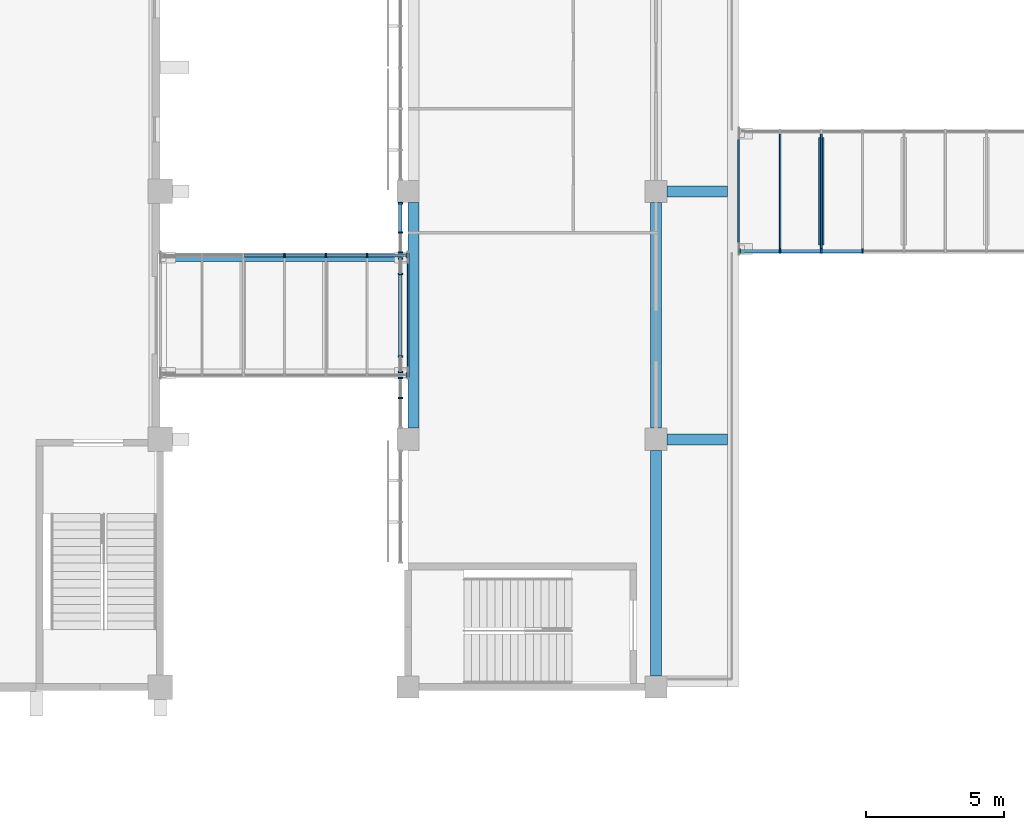
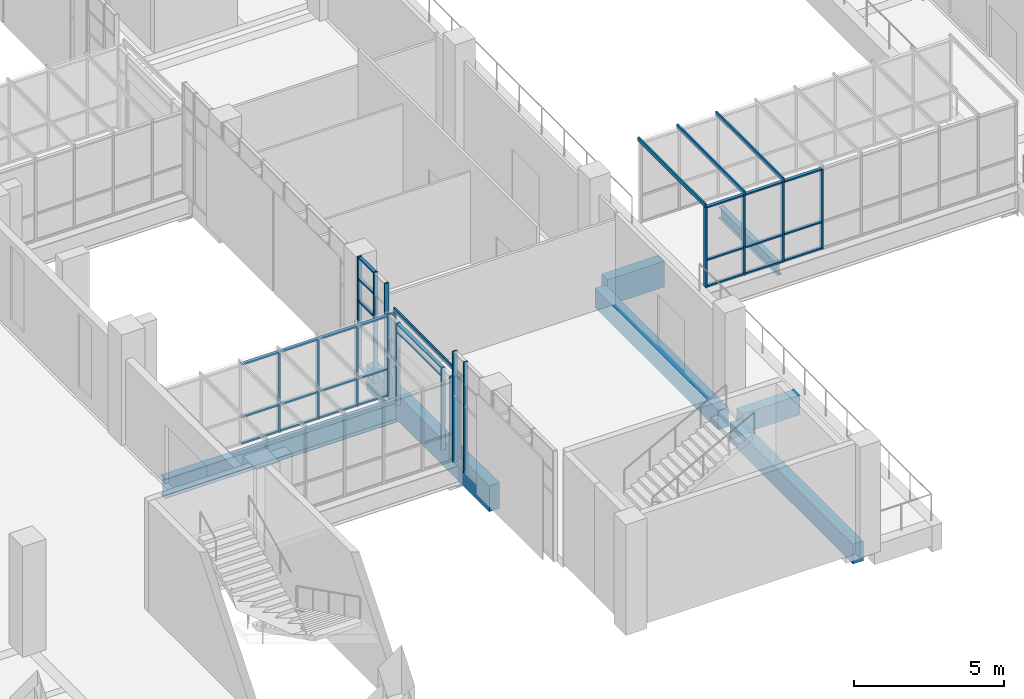
# One storey, part 8 of 88: 49 members, 7 beams, 8 elements without a shape of their own.
"""IFC4 building model written with IfcOpenShell, lengths in metres."""

from ifc_helpers import new_model, si_unit, direction, frame, origin, origin_2d, place, context, subcontext, project, spatial, rectangle, i_section, extrude, material, layer, layer_set, material_profile, profile_set, type_object, element, aggregate, save


model = new_model("IFC4")

# Units and contexts
model_context = context("Model", 3, precision=1e-05, world=origin(), true_north=direction((0.0, 1.0)))
body_context = subcontext(model_context, "Body", "Model", "MODEL_VIEW")
ifc_project = project(units=[si_unit("LENGTHUNIT", "METRE"), si_unit("AREAUNIT", "SQUARE_METRE"), si_unit("VOLUMEUNIT", "CUBIC_METRE"), si_unit("PLANEANGLEUNIT", "RADIAN"), si_unit("MASSUNIT", "GRAM", prefix="KILO")], contexts=[model_context])

# Site, building, storey
site_placement = place(None, origin())
site = spatial("IfcSite", under=ifc_project, at=site_placement, CompositionType="ELEMENT")
building_placement = place(site_placement, origin())
building = spatial("IfcBuilding", under=site, at=building_placement, Name="Guidao Yard Department Store", CompositionType="ELEMENT")
storey_placement = place(building_placement, frame((0.0, 0.0, 6.0)))
storey = spatial("IfcBuildingStorey", under=building, at=storey_placement, Name="L01", CompositionType="ELEMENT", Elevation=6.0)

# Beams
ifc_material_1 = material(Name="Concrete C40", Category="concrete")
ifc_material_profile_1 = material_profile(ifc_material_1, rectangle(XDim=0.39990234375, YDim=1.050048828125, at=origin_2d()), Name="Bridge landing beam 400 x 1050 C40")
ifc_profile_set_1 = profile_set([ifc_material_profile_1], Name="Concrete C40")
beam_type_1 = type_object("IfcBeamType", Name="Bridge landing beam 400 x 1050 C40", PredefinedType="BEAM", material=ifc_profile_set_1)
beam_1_placement = place(storey_placement, frame((72.199951171875, 54.39990234375, -0.52490234375), z_axis=(0.0, 1.0, 0.0), x_axis=(-1.0, 0.0, 0.0)))
element("IfcBeam", 1, at=beam_1_placement, inside=storey, type_object=beam_type_1, Name="Beam LB03", PredefinedType="BEAM", context=body_context, shape_type="SweptSolid", body=[
    extrude(rectangle(XDim=0.39990234375, YDim=1.050048828125, at=origin_2d()), origin(), (0.0, 0.0, 1.0), 8.2001953125),
])
beam_2_placement = place(storey_placement, frame((81.39990234375, 63.0, -0.52490234375), z_axis=(1.0, 0.0, 0.0), x_axis=(0.0, 1.0, 0.0)))
element("IfcBeam", 2, at=beam_2_placement, inside=storey, type_object=beam_type_1, Name="Beam LB05", PredefinedType="BEAM", context=body_context, shape_type="SweptSolid", body=[
    extrude(rectangle(XDim=0.39990234375, YDim=1.050048828125, at=origin_2d()), origin(), (0.0, 0.0, 1.0), 2.2001953125),
])
ifc_material_2 = material(Name="Concrete C40", Category="concrete")
ifc_material_profile_2 = material_profile(ifc_material_2, rectangle(XDim=0.39990234375, YDim=0.800048828125, at=origin_2d()), Name="Edge beam 400 x 800 C40")
ifc_profile_set_2 = profile_set([ifc_material_profile_2], Name="Concrete C40")
beam_type_2 = type_object("IfcBeamType", Name="Edge beam 400 x 800 C40", PredefinedType="BEAM", material=ifc_profile_set_2)
for number, where, z_axis, x_axis, name in (
    (3, (81.0, 45.39990234375, -0.39990234375), (0.0, 1.0, 0.0), (-1.0, 0.0, 0.0), "Beam EB32"),
    (4, (81.0, 54.39990234375, -0.39990234375), (0.0, 1.0, 0.0), (-1.0, 0.0, 0.0), "Beam EB33"),
):
    element("IfcBeam", number, at=place(storey_placement, frame(where, z_axis=z_axis, x_axis=x_axis)), inside=storey, type_object=beam_type_2, Name=name, PredefinedType="BEAM", context=body_context, shape_type="SweptSolid", body=[
        extrude(rectangle(XDim=0.39990234375, YDim=0.800048828125, at=origin_2d()), origin(), (0.0, 0.0, 1.0), 8.2001953125),
    ])
beam_3_placement = place(storey_placement, frame((81.39990234375, 54.0, -0.39990234375), z_axis=(1.0, 0.0, 0.0), x_axis=(0.0, 1.0, 0.0)))
element("IfcBeam", 5, at=beam_3_placement, inside=storey, type_object=beam_type_2, Name="Beam EB40", PredefinedType="BEAM", context=body_context, shape_type="SweptSolid", body=[
    extrude(rectangle(XDim=0.39990234375, YDim=0.800048828125, at=origin_2d()), origin(), (0.0, 0.0, 1.0), 2.2001953125),
])
ifc_material_3 = material(Name="Steel Q355B", Category="steel")
ifc_material_profile_3 = material_profile(ifc_material_3, i_section(OverallWidth=0.199951171875, OverallDepth=0.449951171875, WebThickness=0.009033203125, FlangeThickness=0.013916015625, FilletRadius=0.012939453125, at=origin_2d()), Name="HN 450x200x9x14")
ifc_profile_set_3 = profile_set([ifc_material_profile_3], Name="Steel Q355B")
beam_type_3 = type_object("IfcBeamType", Name="HN 450x200x9x14", PredefinedType="BEAM", material=ifc_profile_set_3)
beam_4_placement = place(storey_placement, frame((87.007568359375, 61.050048828125, -0.47509765625), z_axis=(0.0, 1.0, 0.0), x_axis=(-1.0, 0.0, 0.0)))
element("IfcBeam", 6, at=beam_4_placement, inside=storey, type_object=beam_type_3, Name="Bridge cross beam BR09-1", PredefinedType="BEAM", context=body_context, shape_type="SweptSolid", body=[
    extrude(i_section(OverallWidth=0.199951171875, OverallDepth=0.449951171875, WebThickness=0.009033203125, FlangeThickness=0.013916015625, FilletRadius=0.012939453125, at=origin_2d()), origin(), (0.0, 0.0, 1.0), 3.89990234375),
])
ifc_material_4 = material(Name="Steel Q355B", Category="steel")
ifc_material_profile_4 = material_profile(ifc_material_4, i_section(OverallWidth=0.300048828125, OverallDepth=0.800048828125, WebThickness=0.013916015625, FlangeThickness=0.02587890625, FilletRadius=0.01806640625, at=origin_2d()), Name="HN 800x300x14x26")
ifc_profile_set_4 = profile_set([ifc_material_profile_4], Name="Steel Q355B")
beam_type_4 = type_object("IfcBeamType", Name="HN 800x300x14x26", PredefinedType="BEAM", material=ifc_profile_set_4)
beam_5_placement = place(storey_placement, frame((63.014892578125, 60.60009765625, -0.64990234375), z_axis=(1.0, 0.0, 0.0), x_axis=(0.0, 1.0, 0.0)))
element("IfcBeam", 7, at=beam_5_placement, inside=storey, type_object=beam_type_4, Name="Bridge girder BR01N", PredefinedType="BEAM", context=body_context, shape_type="SweptSolid", body=[
    extrude(i_section(OverallWidth=0.300048828125, OverallDepth=0.800048828125, WebThickness=0.013916015625, FlangeThickness=0.02587890625, FilletRadius=0.01806640625, at=origin_2d()), origin(), (0.0, 0.0, 1.0), 8.97021484375),
])

# Curtain wall, members
ifc_material_5 = material(Name="Aluminium and glass", Category="aluminium")
ifc_layer_1 = layer(ifc_material_5, 0.159912109375)
ifc_layer_set_1 = layer_set([ifc_layer_1], Name="Shopfront curtain wall CW1 1500 module")
curtain_wall_type_1 = type_object("IfcCurtainWallType", Name="Shopfront curtain wall CW1 1500 module", PredefinedType="NOTDEFINED", material=ifc_layer_set_1)
curtain_wall_1_placement = place(storey_placement, origin())
curtain_wall_1 = element("IfcCurtainWall", 8, at=curtain_wall_1_placement, inside=storey, type_object=curtain_wall_type_1, Name="Arcade shop front", PredefinedType="NOTDEFINED")
ifc_material_6 = material(Name="Aluminium 6063-T5", Category="aluminium")
ifc_material_profile_5 = material_profile(ifc_material_6, rectangle(XDim=0.06005859375, YDim=0.159912109375, at=origin_2d()), Name="Mullion M1 60 x 160 aluminium pressure plate")
ifc_profile_set_5 = profile_set([ifc_material_profile_5], Name="Aluminium 6063-T5")
member_type_1 = type_object("IfcMemberType", Name="Mullion M1 60 x 160 aluminium pressure plate", PredefinedType="MULLION", material=ifc_profile_set_5)
member_1_placement = place(storey_placement, frame((71.719970703125, 55.5, 0.0), z_axis=(0.0, 0.0, 1.0), x_axis=(0.0, 1.0, 0.0)))
member_1 = element("IfcMember", 9, at=member_1_placement, type_object=member_type_1, Name="CW-AS-L01-02 mullion 2", PredefinedType="MULLION", context=body_context, shape_type="SweptSolid", body=[
    extrude(rectangle(XDim=0.06005859375, YDim=0.159912109375, at=origin_2d()), origin(), (0.0, 0.0, 1.0), 4.5),
])
member_2_placement = place(storey_placement, frame((71.719970703125, 56.219970703125, 0.0), z_axis=(0.0, 0.0, 1.0), x_axis=(0.0, 1.0, 0.0)))
member_2 = element("IfcMember", 10, at=member_2_placement, type_object=member_type_1, Name="CW-AS-L01-02 mullion 3", PredefinedType="MULLION", context=body_context, shape_type="SweptSolid", body=[
    extrude(rectangle(XDim=0.06005859375, YDim=0.159912109375, at=origin_2d()), origin(), (0.0, 0.0, 1.0), 4.5),
])
aggregate(curtain_wall_1, [member_1, member_2])

curtain_wall_2_placement = place(storey_placement, origin())
curtain_wall_2 = element("IfcCurtainWall", 11, at=curtain_wall_2_placement, inside=storey, type_object=curtain_wall_type_1, Name="Arcade shop front", PredefinedType="NOTDEFINED")
member_3_placement = place(storey_placement, frame((71.719970703125, 56.43994140625, 0.0), z_axis=(0.0, 0.0, 1.0), x_axis=(0.0, 1.0, 0.0)))
member_3 = element("IfcMember", 12, at=member_3_placement, type_object=member_type_1, Name="CW-AS-L01-03 mullion 1", PredefinedType="MULLION", context=body_context, shape_type="SweptSolid", body=[
    extrude(rectangle(XDim=0.06005859375, YDim=0.159912109375, at=origin_2d()), origin(), (0.0, 0.0, 1.0), 3.35009765625),
])
member_4_placement = place(storey_placement, frame((71.719970703125, 57.0, 0.0), z_axis=(0.0, 0.0, 1.0), x_axis=(0.0, 1.0, 0.0)))
member_4 = element("IfcMember", 13, at=member_4_placement, type_object=member_type_1, Name="CW-AS-L01-03 mullion 2", PredefinedType="MULLION", context=body_context, shape_type="SweptSolid", body=[
    extrude(rectangle(XDim=0.06005859375, YDim=0.159912109375, at=origin_2d()), origin(), (0.0, 0.0, 1.0), 3.35009765625),
])
member_5_placement = place(storey_placement, frame((71.719970703125, 60.0, 0.0), z_axis=(0.0, 0.0, 1.0), x_axis=(0.0, 1.0, 0.0)))
member_5 = element("IfcMember", 14, at=member_5_placement, type_object=member_type_1, Name="CW-AS-L01-03 mullion 3", PredefinedType="MULLION", context=body_context, shape_type="SweptSolid", body=[
    extrude(rectangle(XDim=0.06005859375, YDim=0.159912109375, at=origin_2d()), origin(), (0.0, 0.0, 1.0), 3.35009765625),
])
member_6_placement = place(storey_placement, frame((71.719970703125, 60.56005859375, 0.0), z_axis=(0.0, 0.0, 1.0), x_axis=(0.0, 1.0, 0.0)))
member_6 = element("IfcMember", 15, at=member_6_placement, type_object=member_type_1, Name="CW-AS-L01-03 mullion 4", PredefinedType="MULLION", context=body_context, shape_type="SweptSolid", body=[
    extrude(rectangle(XDim=0.06005859375, YDim=0.159912109375, at=origin_2d()), origin(), (0.0, 0.0, 1.0), 3.35009765625),
])

curtain_wall_3_placement = place(storey_placement, origin())
curtain_wall_3 = element("IfcCurtainWall", 16, at=curtain_wall_3_placement, inside=storey, type_object=curtain_wall_type_1, Name="Arcade shop front", PredefinedType="NOTDEFINED")
member_7_placement = place(storey_placement, frame((71.719970703125, 60.780029296875, 0.0), z_axis=(0.0, 0.0, 1.0), x_axis=(0.0, 1.0, 0.0)))
member_7 = element("IfcMember", 17, at=member_7_placement, type_object=member_type_1, Name="CW-AS-L01-04 mullion 1", PredefinedType="MULLION", context=body_context, shape_type="SweptSolid", body=[
    extrude(rectangle(XDim=0.06005859375, YDim=0.159912109375, at=origin_2d()), origin(), (0.0, 0.0, 1.0), 4.5),
])
member_8_placement = place(storey_placement, frame((71.719970703125, 61.5, 0.0), z_axis=(0.0, 0.0, 1.0), x_axis=(0.0, 1.0, 0.0)))
member_8 = element("IfcMember", 18, at=member_8_placement, type_object=member_type_1, Name="CW-AS-L01-04 mullion 2", PredefinedType="MULLION", context=body_context, shape_type="SweptSolid", body=[
    extrude(rectangle(XDim=0.06005859375, YDim=0.159912109375, at=origin_2d()), origin(), (0.0, 0.0, 1.0), 4.5),
])
member_9_placement = place(storey_placement, frame((71.719970703125, 62.570068359375, 0.0), z_axis=(0.0, 0.0, 1.0), x_axis=(0.0, 1.0, 0.0)))
member_9 = element("IfcMember", 19, at=member_9_placement, type_object=member_type_1, Name="CW-AS-L01-04 mullion 3", PredefinedType="MULLION", context=body_context, shape_type="SweptSolid", body=[
    extrude(rectangle(XDim=0.06005859375, YDim=0.159912109375, at=origin_2d()), origin(), (0.0, 0.0, 1.0), 4.5),
])

# Curtain wall, member
ifc_material_7 = material(Name="Aluminium and glass", Category="aluminium")
ifc_layer_2 = layer(ifc_material_7, 0.159912109375)
ifc_layer_set_2 = layer_set([ifc_layer_2], Name="Bridge glazing CW5 1500 module")
curtain_wall_type_2 = type_object("IfcCurtainWallType", Name="Bridge glazing CW5 1500 module", PredefinedType="NOTDEFINED", material=ifc_layer_set_2)
curtain_wall_4_placement = place(storey_placement, origin())
curtain_wall_4 = element("IfcCurtainWall", 20, at=curtain_wall_4_placement, inside=storey, type_object=curtain_wall_type_2, Name="Bridge glazing BR01 S", PredefinedType="NOTDEFINED")
member_10_placement = place(storey_placement, frame((71.969970703125, 56.330078125, 0.0), z_axis=(0.0, 0.0, 1.0), x_axis=(-1.0, 0.0, 0.0)))
member_10 = element("IfcMember", 21, at=member_10_placement, type_object=member_type_1, Name="CW-S-L01-01 mullion 7", PredefinedType="MULLION", context=body_context, shape_type="SweptSolid", body=[
    extrude(rectangle(XDim=0.06005859375, YDim=0.159912109375, at=origin_2d()), origin(), (0.0, 0.0, 1.0), 3.27001953125),
])
aggregate(curtain_wall_4, [member_10])

# Curtain wall, members
curtain_wall_5_placement = place(storey_placement, origin())
curtain_wall_5 = element("IfcCurtainWall", 22, at=curtain_wall_5_placement, inside=storey, type_object=curtain_wall_type_2, Name="Bridge glazing BR01 N", PredefinedType="NOTDEFINED")
member_11_placement = place(storey_placement, frame((67.514892578125, 60.669921875, 0.0), z_axis=(0.0, 0.0, 1.0), x_axis=(1.0, 0.0, 0.0)))
member_11 = element("IfcMember", 23, at=member_11_placement, type_object=member_type_1, Name="CW-N-L01-02 mullion 4", PredefinedType="MULLION", context=body_context, shape_type="SweptSolid", body=[
    extrude(rectangle(XDim=0.06005859375, YDim=0.159912109375, at=origin_2d()), origin(), (0.0, 0.0, 1.0), 3.27001953125),
])
member_12_placement = place(storey_placement, frame((69.014892578125, 60.669921875, 0.0), z_axis=(0.0, 0.0, 1.0), x_axis=(1.0, 0.0, 0.0)))
member_12 = element("IfcMember", 24, at=member_12_placement, type_object=member_type_1, Name="CW-N-L01-02 mullion 5", PredefinedType="MULLION", context=body_context, shape_type="SweptSolid", body=[
    extrude(rectangle(XDim=0.06005859375, YDim=0.159912109375, at=origin_2d()), origin(), (0.0, 0.0, 1.0), 3.27001953125),
])
member_13_placement = place(storey_placement, frame((70.514892578125, 60.669921875, 0.0), z_axis=(0.0, 0.0, 1.0), x_axis=(1.0, 0.0, 0.0)))
member_13 = element("IfcMember", 25, at=member_13_placement, type_object=member_type_1, Name="CW-N-L01-02 mullion 6", PredefinedType="MULLION", context=body_context, shape_type="SweptSolid", body=[
    extrude(rectangle(XDim=0.06005859375, YDim=0.159912109375, at=origin_2d()), origin(), (0.0, 0.0, 1.0), 3.27001953125),
])
member_14_placement = place(storey_placement, frame((71.969970703125, 60.669921875, 0.0), z_axis=(0.0, 0.0, 1.0), x_axis=(1.0, 0.0, 0.0)))
member_14 = element("IfcMember", 26, at=member_14_placement, type_object=member_type_1, Name="CW-N-L01-02 mullion 7", PredefinedType="MULLION", context=body_context, shape_type="SweptSolid", body=[
    extrude(rectangle(XDim=0.06005859375, YDim=0.159912109375, at=origin_2d()), origin(), (0.0, 0.0, 1.0), 3.27001953125),
])

curtain_wall_6_placement = place(storey_placement, origin())
curtain_wall_6 = element("IfcCurtainWall", 27, at=curtain_wall_6_placement, inside=storey, type_object=curtain_wall_type_2, Name="Bridge glazing BR09 S", PredefinedType="NOTDEFINED")
member_15_placement = place(storey_placement, frame((84.030029296875, 60.830078125, 0.0), z_axis=(0.0, 0.0, 1.0), x_axis=(-1.0, 0.0, 0.0)))
member_15 = element("IfcMember", 28, at=member_15_placement, type_object=member_type_1, Name="CW-S-L01-09 mullion 1", PredefinedType="MULLION", context=body_context, shape_type="SweptSolid", body=[
    extrude(rectangle(XDim=0.06005859375, YDim=0.159912109375, at=origin_2d()), origin(), (0.0, 0.0, 1.0), 3.27001953125),
])
member_16_placement = place(storey_placement, frame((85.5, 60.830078125, 0.0), z_axis=(0.0, 0.0, 1.0), x_axis=(-1.0, 0.0, 0.0)))
member_16 = element("IfcMember", 29, at=member_16_placement, type_object=member_type_1, Name="CW-S-L01-09 mullion 2", PredefinedType="MULLION", context=body_context, shape_type="SweptSolid", body=[
    extrude(rectangle(XDim=0.06005859375, YDim=0.159912109375, at=origin_2d()), origin(), (0.0, 0.0, 1.0), 3.27001953125),
])
member_17_placement = place(storey_placement, frame((87.0, 60.830078125, 0.0), z_axis=(0.0, 0.0, 1.0), x_axis=(-1.0, 0.0, 0.0)))
member_17 = element("IfcMember", 30, at=member_17_placement, type_object=member_type_1, Name="CW-S-L01-09 mullion 3", PredefinedType="MULLION", context=body_context, shape_type="SweptSolid", body=[
    extrude(rectangle(XDim=0.06005859375, YDim=0.159912109375, at=origin_2d()), origin(), (0.0, 0.0, 1.0), 3.27001953125),
])
member_18_placement = place(storey_placement, frame((88.5, 60.830078125, 0.0), z_axis=(0.0, 0.0, 1.0), x_axis=(-1.0, 0.0, 0.0)))
member_18 = element("IfcMember", 31, at=member_18_placement, type_object=member_type_1, Name="CW-S-L01-09 mullion 4", PredefinedType="MULLION", context=body_context, shape_type="SweptSolid", body=[
    extrude(rectangle(XDim=0.06005859375, YDim=0.159912109375, at=origin_2d()), origin(), (0.0, 0.0, 1.0), 3.27001953125),
])

# Curtain wall, member
curtain_wall_7_placement = place(storey_placement, origin())
curtain_wall_7 = element("IfcCurtainWall", 32, at=curtain_wall_7_placement, inside=storey, type_object=curtain_wall_type_2, Name="Bridge roof glazing BR01", PredefinedType="NOTDEFINED")
ifc_material_8 = material(Name="Aluminium 6063-T5", Category="aluminium")
ifc_material_profile_6 = material_profile(ifc_material_8, rectangle(XDim=0.06005859375, YDim=0.159912109375, at=origin_2d()), Name="Roof bar RB1 60 x 160 aluminium")
ifc_profile_set_6 = profile_set([ifc_material_profile_6], Name="Aluminium 6063-T5")
member_type_2 = type_object("IfcMemberType", Name="Roof bar RB1 60 x 160 aluminium", PredefinedType="USERDEFINED", material=ifc_profile_set_6)
member_19_placement = place(storey_placement, frame((72.0, 56.25, 3.35009765625), z_axis=(0.0, 1.0, 0.0), x_axis=(-1.0, 0.0, 0.0)))
member_19 = element("IfcMember", 33, at=member_19_placement, type_object=member_type_2, Name="Bridge roof bar BR01", ObjectType="TRANSOM", PredefinedType="USERDEFINED", context=body_context, shape_type="SweptSolid", body=[
    extrude(rectangle(XDim=0.06005859375, YDim=0.159912109375, at=origin_2d()), origin(), (0.0, 0.0, 1.0), 4.5),
])
aggregate(curtain_wall_7, [member_19])

# Curtain wall, members
curtain_wall_8_placement = place(storey_placement, origin())
curtain_wall_8 = element("IfcCurtainWall", 34, at=curtain_wall_8_placement, inside=storey, type_object=curtain_wall_type_2, Name="Bridge roof glazing BR09", PredefinedType="NOTDEFINED")
member_20_placement = place(storey_placement, frame((84.0, 60.75, 3.35009765625), z_axis=(0.0, 1.0, 0.0), x_axis=(-1.0, 0.0, 0.0)))
member_20 = element("IfcMember", 35, at=member_20_placement, type_object=member_type_2, Name="Bridge roof bar BR09", ObjectType="TRANSOM", PredefinedType="USERDEFINED", context=body_context, shape_type="SweptSolid", body=[
    extrude(rectangle(XDim=0.06005859375, YDim=0.159912109375, at=origin_2d()), origin(), (0.0, 0.0, 1.0), 4.5),
])
member_21_placement = place(storey_placement, frame((85.5, 60.75, 3.35009765625), z_axis=(0.0, 1.0, 0.0), x_axis=(-1.0, 0.0, 0.0)))
member_21 = element("IfcMember", 36, at=member_21_placement, type_object=member_type_2, Name="Bridge roof bar BR09", ObjectType="TRANSOM", PredefinedType="USERDEFINED", context=body_context, shape_type="SweptSolid", body=[
    extrude(rectangle(XDim=0.06005859375, YDim=0.159912109375, at=origin_2d()), origin(), (0.0, 0.0, 1.0), 4.5),
])
member_22_placement = place(storey_placement, frame((87.0, 60.75, 3.35009765625), z_axis=(0.0, 1.0, 0.0), x_axis=(-1.0, 0.0, 0.0)))
member_22 = element("IfcMember", 37, at=member_22_placement, type_object=member_type_2, Name="Bridge roof bar BR09", ObjectType="TRANSOM", PredefinedType="USERDEFINED", context=body_context, shape_type="SweptSolid", body=[
    extrude(rectangle(XDim=0.06005859375, YDim=0.159912109375, at=origin_2d()), origin(), (0.0, 0.0, 1.0), 4.5),
])
aggregate(curtain_wall_8, [member_20, member_21, member_22])

# Member
ifc_material_9 = material(Name="Aluminium 6063-T5", Category="aluminium")
ifc_material_profile_7 = material_profile(ifc_material_9, rectangle(XDim=0.1201171875, YDim=0.06005859375, at=origin_2d()), Name="Transom T1 60 x 120 aluminium pressure plate")
ifc_profile_set_7 = profile_set([ifc_material_profile_7], Name="Aluminium 6063-T5")
member_type_3 = type_object("IfcMemberType", Name="Transom T1 60 x 120 aluminium pressure plate", PredefinedType="USERDEFINED", material=ifc_profile_set_7)
member_23_placement = place(storey_placement, frame((71.719970703125, 57.030029296875, 3.0), z_axis=(0.0, 1.0, 0.0), x_axis=(-1.0, 0.0, 0.0)))
member_23 = element("IfcMember", 38, at=member_23_placement, type_object=member_type_3, Name="CW-AS-L01-03 transom 2.2", ObjectType="TRANSOM", PredefinedType="USERDEFINED", context=body_context, shape_type="SweptSolid", body=[
    extrude(rectangle(XDim=0.1201171875, YDim=0.06005859375, at=origin_2d()), origin(), (0.0, 0.0, 1.0), 2.93994140625),
])

member_24_placement = place(storey_placement, frame((71.719970703125, 57.030029296875, 3.320068359375), z_axis=(0.0, 1.0, 0.0), x_axis=(-1.0, 0.0, 0.0)))
member_24 = element("IfcMember", 39, at=member_24_placement, type_object=member_type_3, Name="CW-AS-L01-03 transom 2.3", ObjectType="TRANSOM", PredefinedType="USERDEFINED", context=body_context, shape_type="SweptSolid", body=[
    extrude(rectangle(XDim=0.1201171875, YDim=0.06005859375, at=origin_2d()), origin(), (0.0, 0.0, 1.0), 2.93994140625),
])

aggregate(curtain_wall_2, [member_3, member_4, member_5, member_6, member_23, member_24])

member_25_placement = place(storey_placement, frame((71.719970703125, 61.530029296875, 0.030029296875), z_axis=(0.0, 1.0, 0.0), x_axis=(-1.0, 0.0, 0.0)))
member_25 = element("IfcMember", 40, at=member_25_placement, type_object=member_type_3, Name="CW-AS-L01-04 transom 2.1", ObjectType="TRANSOM", PredefinedType="USERDEFINED", context=body_context, shape_type="SweptSolid", body=[
    extrude(rectangle(XDim=0.1201171875, YDim=0.06005859375, at=origin_2d()), origin(), (0.0, 0.0, 1.0), 1.010009765625),
])

member_26_placement = place(storey_placement, frame((71.719970703125, 61.530029296875, 2.699951171875), z_axis=(0.0, 1.0, 0.0), x_axis=(-1.0, 0.0, 0.0)))
member_26 = element("IfcMember", 41, at=member_26_placement, type_object=member_type_3, Name="CW-AS-L01-04 transom 2.2", ObjectType="TRANSOM", PredefinedType="USERDEFINED", context=body_context, shape_type="SweptSolid", body=[
    extrude(rectangle(XDim=0.1201171875, YDim=0.06005859375, at=origin_2d()), origin(), (0.0, 0.0, 1.0), 1.010009765625),
])

member_27_placement = place(storey_placement, frame((71.719970703125, 61.530029296875, 3.60009765625), z_axis=(0.0, 1.0, 0.0), x_axis=(-1.0, 0.0, 0.0)))
member_27 = element("IfcMember", 42, at=member_27_placement, type_object=member_type_3, Name="CW-AS-L01-04 transom 2.3", ObjectType="TRANSOM", PredefinedType="USERDEFINED", context=body_context, shape_type="SweptSolid", body=[
    extrude(rectangle(XDim=0.1201171875, YDim=0.06005859375, at=origin_2d()), origin(), (0.0, 0.0, 1.0), 1.010009765625),
])

member_28_placement = place(storey_placement, frame((71.719970703125, 61.530029296875, 4.469970703125), z_axis=(0.0, 1.0, 0.0), x_axis=(-1.0, 0.0, 0.0)))
member_28 = element("IfcMember", 43, at=member_28_placement, type_object=member_type_3, Name="CW-AS-L01-04 transom 2.4", ObjectType="TRANSOM", PredefinedType="USERDEFINED", context=body_context, shape_type="SweptSolid", body=[
    extrude(rectangle(XDim=0.1201171875, YDim=0.06005859375, at=origin_2d()), origin(), (0.0, 0.0, 1.0), 1.010009765625),
])

aggregate(curtain_wall_3, [member_7, member_8, member_9, member_25, member_26, member_27, member_28])

member_29_placement = place(storey_placement, frame((66.044921875, 60.669921875, 0.030029296875), z_axis=(1.0, 0.0, 0.0), x_axis=(0.0, 1.0, 0.0)))
member_29 = element("IfcMember", 44, at=member_29_placement, type_object=member_type_3, Name="CW-N-L01-02 transom 3.1", ObjectType="TRANSOM", PredefinedType="USERDEFINED", context=body_context, shape_type="SweptSolid", body=[
    extrude(rectangle(XDim=0.1201171875, YDim=0.06005859375, at=origin_2d()), origin(), (0.0, 0.0, 1.0), 1.440185546875),
])

member_30_placement = place(storey_placement, frame((66.044921875, 60.669921875, 1.10009765625), z_axis=(1.0, 0.0, 0.0), x_axis=(0.0, 1.0, 0.0)))
member_30 = element("IfcMember", 45, at=member_30_placement, type_object=member_type_3, Name="CW-N-L01-02 transom 3.2", ObjectType="TRANSOM", PredefinedType="USERDEFINED", context=body_context, shape_type="SweptSolid", body=[
    extrude(rectangle(XDim=0.1201171875, YDim=0.06005859375, at=origin_2d()), origin(), (0.0, 0.0, 1.0), 1.440185546875),
])

member_31_placement = place(storey_placement, frame((66.044921875, 60.669921875, 3.239990234375), z_axis=(1.0, 0.0, 0.0), x_axis=(0.0, 1.0, 0.0)))
member_31 = element("IfcMember", 46, at=member_31_placement, type_object=member_type_3, Name="CW-N-L01-02 transom 3.3", ObjectType="TRANSOM", PredefinedType="USERDEFINED", context=body_context, shape_type="SweptSolid", body=[
    extrude(rectangle(XDim=0.1201171875, YDim=0.06005859375, at=origin_2d()), origin(), (0.0, 0.0, 1.0), 1.440185546875),
])

member_32_placement = place(storey_placement, frame((67.544921875, 60.669921875, 0.030029296875), z_axis=(1.0, 0.0, 0.0), x_axis=(0.0, 1.0, 0.0)))
member_32 = element("IfcMember", 47, at=member_32_placement, type_object=member_type_3, Name="CW-N-L01-02 transom 4.1", ObjectType="TRANSOM", PredefinedType="USERDEFINED", context=body_context, shape_type="SweptSolid", body=[
    extrude(rectangle(XDim=0.1201171875, YDim=0.06005859375, at=origin_2d()), origin(), (0.0, 0.0, 1.0), 1.440185546875),
])

member_33_placement = place(storey_placement, frame((67.544921875, 60.669921875, 1.10009765625), z_axis=(1.0, 0.0, 0.0), x_axis=(0.0, 1.0, 0.0)))
member_33 = element("IfcMember", 48, at=member_33_placement, type_object=member_type_3, Name="CW-N-L01-02 transom 4.2", ObjectType="TRANSOM", PredefinedType="USERDEFINED", context=body_context, shape_type="SweptSolid", body=[
    extrude(rectangle(XDim=0.1201171875, YDim=0.06005859375, at=origin_2d()), origin(), (0.0, 0.0, 1.0), 1.440185546875),
])

member_34_placement = place(storey_placement, frame((67.544921875, 60.669921875, 3.239990234375), z_axis=(1.0, 0.0, 0.0), x_axis=(0.0, 1.0, 0.0)))
member_34 = element("IfcMember", 49, at=member_34_placement, type_object=member_type_3, Name="CW-N-L01-02 transom 4.3", ObjectType="TRANSOM", PredefinedType="USERDEFINED", context=body_context, shape_type="SweptSolid", body=[
    extrude(rectangle(XDim=0.1201171875, YDim=0.06005859375, at=origin_2d()), origin(), (0.0, 0.0, 1.0), 1.440185546875),
])

member_35_placement = place(storey_placement, frame((69.044921875, 60.669921875, 0.030029296875), z_axis=(1.0, 0.0, 0.0), x_axis=(0.0, 1.0, 0.0)))
member_35 = element("IfcMember", 50, at=member_35_placement, type_object=member_type_3, Name="CW-N-L01-02 transom 5.1", ObjectType="TRANSOM", PredefinedType="USERDEFINED", context=body_context, shape_type="SweptSolid", body=[
    extrude(rectangle(XDim=0.1201171875, YDim=0.06005859375, at=origin_2d()), origin(), (0.0, 0.0, 1.0), 1.440185546875),
])

member_36_placement = place(storey_placement, frame((69.044921875, 60.669921875, 1.10009765625), z_axis=(1.0, 0.0, 0.0), x_axis=(0.0, 1.0, 0.0)))
member_36 = element("IfcMember", 51, at=member_36_placement, type_object=member_type_3, Name="CW-N-L01-02 transom 5.2", ObjectType="TRANSOM", PredefinedType="USERDEFINED", context=body_context, shape_type="SweptSolid", body=[
    extrude(rectangle(XDim=0.1201171875, YDim=0.06005859375, at=origin_2d()), origin(), (0.0, 0.0, 1.0), 1.440185546875),
])

member_37_placement = place(storey_placement, frame((69.044921875, 60.669921875, 3.239990234375), z_axis=(1.0, 0.0, 0.0), x_axis=(0.0, 1.0, 0.0)))
member_37 = element("IfcMember", 52, at=member_37_placement, type_object=member_type_3, Name="CW-N-L01-02 transom 5.3", ObjectType="TRANSOM", PredefinedType="USERDEFINED", context=body_context, shape_type="SweptSolid", body=[
    extrude(rectangle(XDim=0.1201171875, YDim=0.06005859375, at=origin_2d()), origin(), (0.0, 0.0, 1.0), 1.440185546875),
])

member_38_placement = place(storey_placement, frame((70.544921875, 60.669921875, 0.030029296875), z_axis=(1.0, 0.0, 0.0), x_axis=(0.0, 1.0, 0.0)))
member_38 = element("IfcMember", 53, at=member_38_placement, type_object=member_type_3, Name="CW-N-L01-02 transom 6.1", ObjectType="TRANSOM", PredefinedType="USERDEFINED", context=body_context, shape_type="SweptSolid", body=[
    extrude(rectangle(XDim=0.1201171875, YDim=0.06005859375, at=origin_2d()), origin(), (0.0, 0.0, 1.0), 1.39501953125),
])

member_39_placement = place(storey_placement, frame((70.544921875, 60.669921875, 1.10009765625), z_axis=(1.0, 0.0, 0.0), x_axis=(0.0, 1.0, 0.0)))
member_39 = element("IfcMember", 54, at=member_39_placement, type_object=member_type_3, Name="CW-N-L01-02 transom 6.2", ObjectType="TRANSOM", PredefinedType="USERDEFINED", context=body_context, shape_type="SweptSolid", body=[
    extrude(rectangle(XDim=0.1201171875, YDim=0.06005859375, at=origin_2d()), origin(), (0.0, 0.0, 1.0), 1.39501953125),
])

member_40_placement = place(storey_placement, frame((70.544921875, 60.669921875, 3.239990234375), z_axis=(1.0, 0.0, 0.0), x_axis=(0.0, 1.0, 0.0)))
member_40 = element("IfcMember", 55, at=member_40_placement, type_object=member_type_3, Name="CW-N-L01-02 transom 6.3", ObjectType="TRANSOM", PredefinedType="USERDEFINED", context=body_context, shape_type="SweptSolid", body=[
    extrude(rectangle(XDim=0.1201171875, YDim=0.06005859375, at=origin_2d()), origin(), (0.0, 0.0, 1.0), 1.39501953125),
])

aggregate(curtain_wall_5, [member_11, member_12, member_13, member_14, member_29, member_30, member_31, member_32, member_33, member_34, member_35, member_36, member_37, member_38, member_39, member_40])

member_41_placement = place(storey_placement, frame((85.469970703125, 60.830078125, 0.030029296875), z_axis=(-1.0, 0.0, 0.0), x_axis=(0.0, -1.0, 0.0)))
member_41 = element("IfcMember", 56, at=member_41_placement, type_object=member_type_3, Name="CW-S-L01-09 transom 1.1", ObjectType="TRANSOM", PredefinedType="USERDEFINED", context=body_context, shape_type="SweptSolid", body=[
    extrude(rectangle(XDim=0.1201171875, YDim=0.06005859375, at=origin_2d()), origin(), (0.0, 0.0, 1.0), 1.409912109375),
])

member_42_placement = place(storey_placement, frame((85.469970703125, 60.830078125, 1.10009765625), z_axis=(-1.0, 0.0, 0.0), x_axis=(0.0, -1.0, 0.0)))
member_42 = element("IfcMember", 57, at=member_42_placement, type_object=member_type_3, Name="CW-S-L01-09 transom 1.2", ObjectType="TRANSOM", PredefinedType="USERDEFINED", context=body_context, shape_type="SweptSolid", body=[
    extrude(rectangle(XDim=0.1201171875, YDim=0.06005859375, at=origin_2d()), origin(), (0.0, 0.0, 1.0), 1.409912109375),
])

member_43_placement = place(storey_placement, frame((85.469970703125, 60.830078125, 3.239990234375), z_axis=(-1.0, 0.0, 0.0), x_axis=(0.0, -1.0, 0.0)))
member_43 = element("IfcMember", 58, at=member_43_placement, type_object=member_type_3, Name="CW-S-L01-09 transom 1.3", ObjectType="TRANSOM", PredefinedType="USERDEFINED", context=body_context, shape_type="SweptSolid", body=[
    extrude(rectangle(XDim=0.1201171875, YDim=0.06005859375, at=origin_2d()), origin(), (0.0, 0.0, 1.0), 1.409912109375),
])

member_44_placement = place(storey_placement, frame((86.969970703125, 60.830078125, 0.030029296875), z_axis=(-1.0, 0.0, 0.0), x_axis=(0.0, -1.0, 0.0)))
member_44 = element("IfcMember", 59, at=member_44_placement, type_object=member_type_3, Name="CW-S-L01-09 transom 2.1", ObjectType="TRANSOM", PredefinedType="USERDEFINED", context=body_context, shape_type="SweptSolid", body=[
    extrude(rectangle(XDim=0.1201171875, YDim=0.06005859375, at=origin_2d()), origin(), (0.0, 0.0, 1.0), 1.43994140625),
])

member_45_placement = place(storey_placement, frame((86.969970703125, 60.830078125, 1.10009765625), z_axis=(-1.0, 0.0, 0.0), x_axis=(0.0, -1.0, 0.0)))
member_45 = element("IfcMember", 60, at=member_45_placement, type_object=member_type_3, Name="CW-S-L01-09 transom 2.2", ObjectType="TRANSOM", PredefinedType="USERDEFINED", context=body_context, shape_type="SweptSolid", body=[
    extrude(rectangle(XDim=0.1201171875, YDim=0.06005859375, at=origin_2d()), origin(), (0.0, 0.0, 1.0), 1.43994140625),
])

member_46_placement = place(storey_placement, frame((86.969970703125, 60.830078125, 3.239990234375), z_axis=(-1.0, 0.0, 0.0), x_axis=(0.0, -1.0, 0.0)))
member_46 = element("IfcMember", 61, at=member_46_placement, type_object=member_type_3, Name="CW-S-L01-09 transom 2.3", ObjectType="TRANSOM", PredefinedType="USERDEFINED", context=body_context, shape_type="SweptSolid", body=[
    extrude(rectangle(XDim=0.1201171875, YDim=0.06005859375, at=origin_2d()), origin(), (0.0, 0.0, 1.0), 1.43994140625),
])

member_47_placement = place(storey_placement, frame((88.469970703125, 60.830078125, 0.030029296875), z_axis=(-1.0, 0.0, 0.0), x_axis=(0.0, -1.0, 0.0)))
member_47 = element("IfcMember", 62, at=member_47_placement, type_object=member_type_3, Name="CW-S-L01-09 transom 3.1", ObjectType="TRANSOM", PredefinedType="USERDEFINED", context=body_context, shape_type="SweptSolid", body=[
    extrude(rectangle(XDim=0.1201171875, YDim=0.06005859375, at=origin_2d()), origin(), (0.0, 0.0, 1.0), 1.43994140625),
])

member_48_placement = place(storey_placement, frame((88.469970703125, 60.830078125, 1.10009765625), z_axis=(-1.0, 0.0, 0.0), x_axis=(0.0, -1.0, 0.0)))
member_48 = element("IfcMember", 63, at=member_48_placement, type_object=member_type_3, Name="CW-S-L01-09 transom 3.2", ObjectType="TRANSOM", PredefinedType="USERDEFINED", context=body_context, shape_type="SweptSolid", body=[
    extrude(rectangle(XDim=0.1201171875, YDim=0.06005859375, at=origin_2d()), origin(), (0.0, 0.0, 1.0), 1.43994140625),
])

member_49_placement = place(storey_placement, frame((88.469970703125, 60.830078125, 3.239990234375), z_axis=(-1.0, 0.0, 0.0), x_axis=(0.0, -1.0, 0.0)))
member_49 = element("IfcMember", 64, at=member_49_placement, type_object=member_type_3, Name="CW-S-L01-09 transom 3.3", ObjectType="TRANSOM", PredefinedType="USERDEFINED", context=body_context, shape_type="SweptSolid", body=[
    extrude(rectangle(XDim=0.1201171875, YDim=0.06005859375, at=origin_2d()), origin(), (0.0, 0.0, 1.0), 1.43994140625),
])

aggregate(curtain_wall_6, [member_15, member_16, member_17, member_18, member_41, member_42, member_43, member_44, member_45, member_46, member_47, member_48, member_49])

save(model, "model.ifc")
